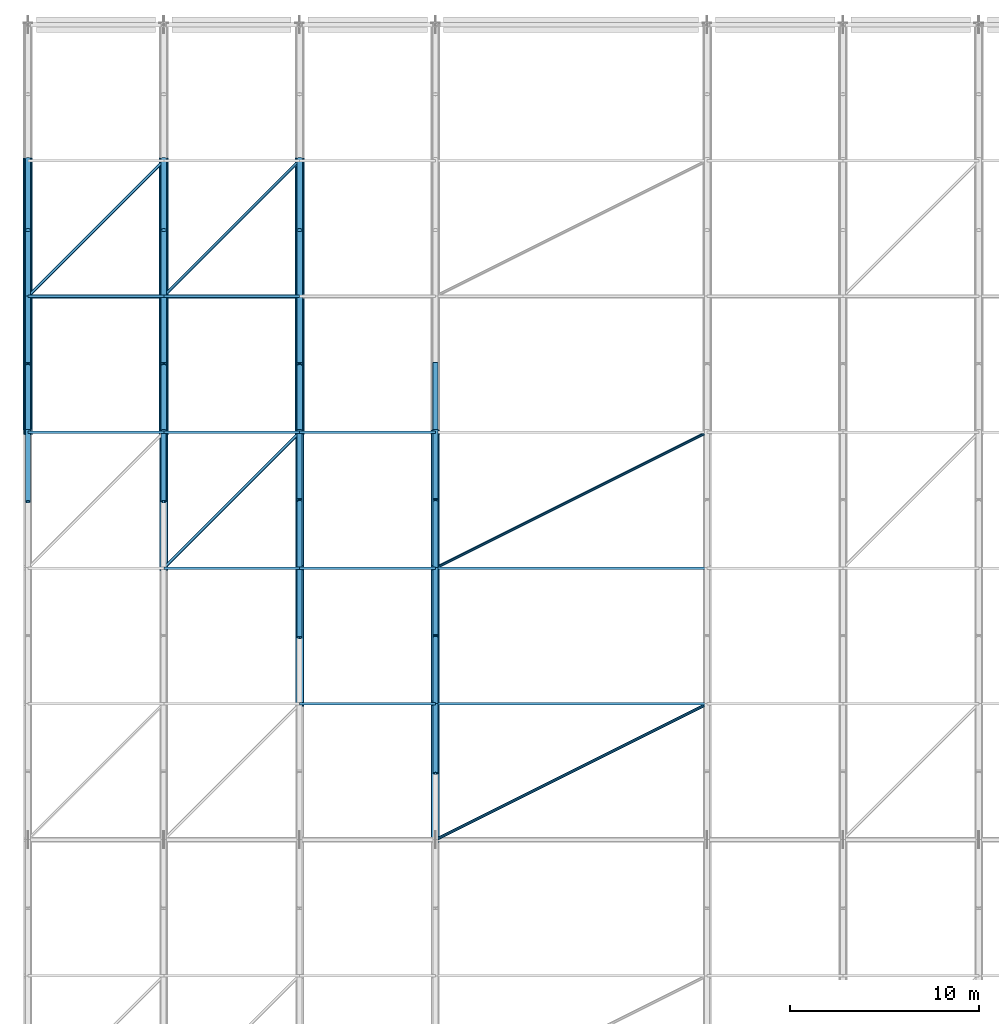
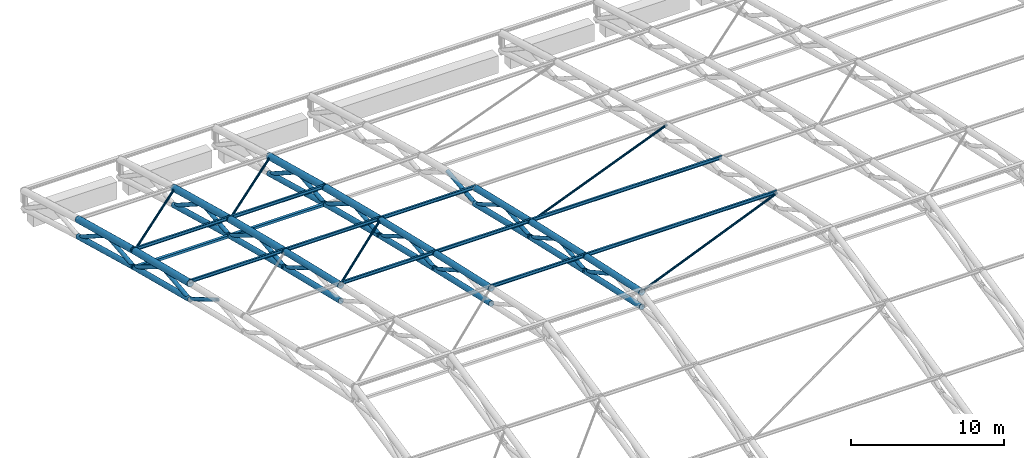
# One storey, part 43 of 193: 64 members.
"""IFC4 building model written with IfcOpenShell, lengths in metres."""

from ifc_helpers import new_model, si_unit, direction, frame, origin, origin_2d, place, context, subcontext, project, spatial, hollow_rectangle, hollow_circle, i_section, extrude, material, material_profile, profile_set, type_object, element, save


model = new_model("IFC4")

# Units and contexts
model_context = context("Model", 3, precision=1e-05, world=origin(), true_north=direction((0.0, 1.0)))
body_context = subcontext(model_context, "Body", "Model", "MODEL_VIEW")
ifc_project = project(units=[si_unit("LENGTHUNIT", "METRE"), si_unit("AREAUNIT", "SQUARE_METRE"), si_unit("VOLUMEUNIT", "CUBIC_METRE"), si_unit("PLANEANGLEUNIT", "RADIAN"), si_unit("MASSUNIT", "GRAM", prefix="KILO")], contexts=[model_context])

# Site, building, storey
site_placement = place(None, origin())
site = spatial("IfcSite", under=ifc_project, at=site_placement, CompositionType="ELEMENT")
building_placement = place(site_placement, origin())
building = spatial("IfcBuilding", under=site, at=building_placement, Name="Cendralis Lancet Convention Centre", CompositionType="ELEMENT")
storey_placement = place(building_placement, frame((0.0, 0.0, 10.199951171875)))
storey = spatial("IfcBuildingStorey", under=building, at=storey_placement, Name="L02", CompositionType="ELEMENT", Elevation=10.199951171875)

# Members
ifc_material = material(Name="Steel S355", Category="steel")
ifc_material_profile_1 = material_profile(ifc_material, hollow_circle(Radius=0.084228515625, WallThickness=0.008056640625, at=origin_2d()), Name="CHS 168.3x8.0")
ifc_profile_set_1 = profile_set([ifc_material_profile_1], Name="Steel S355")
member_type_1 = type_object("IfcMemberType", Name="STR-BR-RB01", PredefinedType="BRACE", material=ifc_profile_set_1)
member_1_placement = place(storey_placement, frame((0.0, 122.39990234375, 7.576416015625), z_axis=(0.694854047824, 0.694877609387, -0.185264568107), x_axis=(-0.7071187694, 0.70709479277, 0.0)))
element("IfcMember", 1, at=member_1_placement, inside=storey, type_object=member_type_1, Name="Roof Diaphragm Brace RB01 V1-00-10A", PredefinedType="BRACE", context=body_context, shape_type="SweptSolid", body=[
    extrude(hollow_circle(Radius=0.084228515625, WallThickness=0.008056640625, at=origin_2d()), origin(), (0.0, 0.0, 1.0), 10.36181640625),
])
member_2_placement = place(storey_placement, frame((7.199951171875, 108.0, 11.056884765625), z_axis=(0.697591582707, 0.697591582707, -0.163499135997), x_axis=(-0.707106781187, 0.707106781187, 0.0)))
element("IfcMember", 2, at=member_2_placement, inside=storey, type_object=member_type_1, Name="Roof Diaphragm Brace RB01 V1-01-08A", PredefinedType="BRACE", context=body_context, shape_type="SweptSolid", body=[
    extrude(hollow_circle(Radius=0.084228515625, WallThickness=0.008056640625, at=origin_2d()), origin(), (0.0, 0.0, 1.0), 10.321044921875),
])
member_3_placement = place(storey_placement, frame((7.199951171875, 122.39990234375, 7.576416015625), z_axis=(0.694854047824, 0.694877609387, -0.185264568107), x_axis=(-0.7071187694, 0.70709479277, 0.0)))
element("IfcMember", 3, at=member_3_placement, inside=storey, type_object=member_type_1, Name="Roof Diaphragm Brace RB01 V1-01-10A", PredefinedType="BRACE", context=body_context, shape_type="SweptSolid", body=[
    extrude(hollow_circle(Radius=0.084228515625, WallThickness=0.008056640625, at=origin_2d()), origin(), (0.0, 0.0, 1.0), 10.36181640625),
])
member_4_placement = place(storey_placement, frame((21.60009765625, 93.60009765625, 14.199951171875), z_axis=(0.890364211935, 0.445182105968, -0.095207471511), x_axis=(-0.4472135955, 0.894427191, 0.0)))
element("IfcMember", 4, at=member_4_placement, inside=storey, type_object=member_type_1, Name="Roof Diaphragm Brace RB01 V1-03-06A", PredefinedType="BRACE", context=body_context, shape_type="SweptSolid", body=[
    extrude(hollow_circle(Radius=0.084228515625, WallThickness=0.008056640625, at=origin_2d()), origin(), (0.0, 0.0, 1.0), 16.173095703125),
])
member_5_placement = place(storey_placement, frame((21.60009765625, 108.0, 11.056884765625), z_axis=(0.88955400684, 0.44477700342, -0.104245317135), x_axis=(-0.4472135955, 0.894427191, 0.0)))
element("IfcMember", 5, at=member_5_placement, inside=storey, type_object=member_type_1, Name="Roof Diaphragm Brace RB01 V1-03-08A", PredefinedType="BRACE", context=body_context, shape_type="SweptSolid", body=[
    extrude(hollow_circle(Radius=0.084228515625, WallThickness=0.008056640625, at=origin_2d()), origin(), (0.0, 0.0, 1.0), 16.187744140625),
])
ifc_material_profile_2 = material_profile(ifc_material, hollow_rectangle(XDim=0.199951171875, YDim=0.199951171875, WallThickness=0.010009765625, at=origin_2d()), Name="SHS 200x200x10.0")
ifc_profile_set_2 = profile_set([ifc_material_profile_2], Name="Steel S355")
member_type_2 = type_object("IfcMemberType", Name="STR-BR-ST01", PredefinedType="STRUT", material=ifc_profile_set_2)
for number, where, z_axis, x_axis, name in (
    (6, (0.0, 122.39990234375, 6.2509765625), (1.0, 0.0, 0.0), (0.0, 1.0, 0.0), "Arch Tie Strut ST01 V1-00-10"),
    (7, (7.199951171875, 122.39990234375, 6.2509765625), (1.0, 0.0, 0.0), (0.0, 1.0, 0.0), "Arch Tie Strut ST01 V1-01-10"),
):
    element("IfcMember", number, at=place(storey_placement, frame(where, z_axis=z_axis, x_axis=x_axis)), inside=storey, type_object=member_type_2, Name=name, PredefinedType="STRUT", context=body_context, shape_type="SweptSolid", body=[
        extrude(hollow_rectangle(XDim=0.199951171875, YDim=0.199951171875, WallThickness=0.010009765625, at=origin_2d()), origin(), (0.0, 0.0, 1.0), 7.199951171875),
    ])
ifc_material_profile_3 = material_profile(ifc_material, i_section(OverallWidth=0.135009765625, OverallDepth=0.27001953125, WebThickness=0.006591796875, FlangeThickness=0.01025390625, FilletRadius=0.014892578125, at=origin_2d()), Name="IPE 270")
ifc_profile_set_3 = profile_set([ifc_material_profile_3], Name="Steel S355")
member_type_3 = type_object("IfcMemberType", Name="STR-PR-PR01", PredefinedType="PURLIN", material=ifc_profile_set_3)
for number, where, z_axis, x_axis, name in (
    (8, (0.0, 115.199951171875, 9.484375), (1.0, 0.0, 0.0), (0.0, 1.0, 0.0), "Vault Roof Purlin PR01 V1-00-09"),
    (9, (0.0, 122.39990234375, 7.69140625), (1.0, 0.0, 0.0), (0.0, 1.0, 0.0), "Vault Roof Purlin PR01 V1-00-10"),
    (10, (7.199951171875, 108.0, 11.171875), (1.0, 0.0, 0.0), (0.0, 1.0, 0.0), "Vault Roof Purlin PR01 V1-01-08"),
    (11, (7.199951171875, 115.199951171875, 9.484375), (1.0, 0.0, 0.0), (0.0, 1.0, 0.0), "Vault Roof Purlin PR01 V1-01-09"),
    (12, (7.199951171875, 122.39990234375, 7.69140625), (1.0, 0.0, 0.0), (0.0, 1.0, 0.0), "Vault Roof Purlin PR01 V1-01-10"),
):
    element("IfcMember", number, at=place(storey_placement, frame(where, z_axis=z_axis, x_axis=x_axis)), inside=storey, type_object=member_type_3, Name=name, PredefinedType="PURLIN", context=body_context, shape_type="SweptSolid", body=[
        extrude(i_section(OverallWidth=0.135009765625, OverallDepth=0.27001953125, WebThickness=0.006591796875, FlangeThickness=0.01025390625, FilletRadius=0.014892578125, at=origin_2d()), origin(), (0.0, 0.0, 1.0), 7.199951171875),
    ])
for number, where, z_axis, x_axis, name in (
    (13, (14.39990234375, 100.800048828125, 12.775146484375), (1.0, 0.0, 0.0), (0.0, 1.0, 0.0), "Vault Roof Purlin PR01 V1-02-07"),
    (14, (14.39990234375, 108.0, 11.171875), (1.0, 0.0, 0.0), (0.0, 1.0, 0.0), "Vault Roof Purlin PR01 V1-02-08"),
    (15, (14.39990234375, 115.199951171875, 9.484375), (1.0, 0.0, 0.0), (0.0, 1.0, 0.0), "Vault Roof Purlin PR01 V1-02-09"),
):
    element("IfcMember", number, at=place(storey_placement, frame(where, z_axis=z_axis, x_axis=x_axis)), inside=storey, type_object=member_type_3, Name=name, PredefinedType="PURLIN", context=body_context, shape_type="SweptSolid", body=[
        extrude(i_section(OverallWidth=0.135009765625, OverallDepth=0.27001953125, WebThickness=0.006591796875, FlangeThickness=0.01025390625, FilletRadius=0.014892578125, at=origin_2d()), origin(), (0.0, 0.0, 1.0), 7.2001953125),
    ])
for number, where, z_axis, x_axis, name in (
    (16, (21.60009765625, 100.800048828125, 12.775146484375), (1.0, 0.0, 0.0), (0.0, 1.0, 0.0), "Vault Roof Purlin PR01 V1-03-07"),
    (17, (21.60009765625, 108.0, 11.171875), (1.0, 0.0, 0.0), (0.0, 1.0, 0.0), "Vault Roof Purlin PR01 V1-03-08"),
):
    element("IfcMember", number, at=place(storey_placement, frame(where, z_axis=z_axis, x_axis=x_axis)), inside=storey, type_object=member_type_3, Name=name, PredefinedType="PURLIN", context=body_context, shape_type="SweptSolid", body=[
        extrude(i_section(OverallWidth=0.135009765625, OverallDepth=0.27001953125, WebThickness=0.006591796875, FlangeThickness=0.01025390625, FilletRadius=0.014892578125, at=origin_2d()), origin(), (0.0, 0.0, 1.0), 14.39990234375),
    ])
ifc_material_profile_4 = material_profile(ifc_material, hollow_circle(Radius=0.203125, WallThickness=0.01611328125, at=origin_2d()), Name="CHS 406.4x16.0")
ifc_profile_set_4 = profile_set([ifc_material_profile_4], Name="Steel S355")
member_type_4 = type_object("IfcMemberType", Name="STR-TR-BC01", PredefinedType="CHORD", material=ifc_profile_set_4)
member_6_placement = place(storey_placement, frame((0.0, 115.083740234375, 8.111083984375), z_axis=(0.0, 0.969168531094, -0.246398779092), x_axis=(-1.0, 0.0, 0.0)))
element("IfcMember", 18, at=member_6_placement, inside=storey, type_object=member_type_4, Name="ROOF TRUSS AT-V1-01 Bottom Chord 09", PredefinedType="CHORD", context=body_context, shape_type="SweptSolid", body=[
    extrude(hollow_circle(Radius=0.203125, WallThickness=0.01611328125, at=origin_2d()), origin(), (0.0, 0.0, 1.0), 7.6689453125),
])
member_7_placement = place(storey_placement, frame((0.0, 122.2841796875, 6.282470703125), z_axis=(0.0, 0.964987331955, -0.262296490953), x_axis=(-1.0, 0.0, 0.0)))
element("IfcMember", 19, at=member_7_placement, inside=storey, type_object=member_type_4, Name="ROOF TRUSS AT-V1-01 Bottom Chord 10", PredefinedType="CHORD", context=body_context, shape_type="SweptSolid", body=[
    extrude(hollow_circle(Radius=0.203125, WallThickness=0.01611328125, at=origin_2d()), origin(), (0.0, 0.0, 1.0), 7.701171875),
])
ifc_material_profile_5 = material_profile(ifc_material, hollow_circle(Radius=0.203125, WallThickness=0.01611328125, at=origin_2d()), Name="CHS 406.4x16.0")
ifc_profile_set_5 = profile_set([ifc_material_profile_5], Name="Steel S355")
member_type_5 = type_object("IfcMemberType", Name="STR-TR-BC01-INT", PredefinedType="CHORD", material=ifc_profile_set_5)
member_8_placement = place(storey_placement, frame((7.199951171875, 107.88330078125, 9.834228515625), z_axis=(0.0, 0.97248347478, -0.232971868002), x_axis=(-1.0, 0.0, 0.0)))
element("IfcMember", 20, at=member_8_placement, inside=storey, type_object=member_type_5, Name="ROOF TRUSS AT-V1-02 Bottom Chord 08", PredefinedType="CHORD", context=body_context, shape_type="SweptSolid", body=[
    extrude(hollow_circle(Radius=0.203125, WallThickness=0.01611328125, at=origin_2d()), origin(), (0.0, 0.0, 1.0), 7.643798828125),
])
member_9_placement = place(storey_placement, frame((7.199951171875, 115.083740234375, 8.111083984375), z_axis=(0.0, 0.969168531094, -0.246398779092), x_axis=(-1.0, 0.0, 0.0)))
element("IfcMember", 21, at=member_9_placement, inside=storey, type_object=member_type_5, Name="ROOF TRUSS AT-V1-02 Bottom Chord 09", PredefinedType="CHORD", context=body_context, shape_type="SweptSolid", body=[
    extrude(hollow_circle(Radius=0.203125, WallThickness=0.01611328125, at=origin_2d()), origin(), (0.0, 0.0, 1.0), 7.6689453125),
])
member_10_placement = place(storey_placement, frame((7.199951171875, 122.2841796875, 6.282470703125), z_axis=(0.0, 0.964987331955, -0.262296490953), x_axis=(-1.0, 0.0, 0.0)))
element("IfcMember", 22, at=member_10_placement, inside=storey, type_object=member_type_5, Name="ROOF TRUSS AT-V1-02 Bottom Chord 10", PredefinedType="CHORD", context=body_context, shape_type="SweptSolid", body=[
    extrude(hollow_circle(Radius=0.203125, WallThickness=0.01611328125, at=origin_2d()), origin(), (0.0, 0.0, 1.0), 7.701171875),
])
member_11_placement = place(storey_placement, frame((14.39990234375, 100.68310546875, 11.4736328125), z_axis=(0.0, 0.975002780506, -0.222192659658), x_axis=(-1.0, 0.0, 0.0)))
element("IfcMember", 23, at=member_11_placement, inside=storey, type_object=member_type_5, Name="ROOF TRUSS AT-V1-03 Bottom Chord 07", PredefinedType="CHORD", context=body_context, shape_type="SweptSolid", body=[
    extrude(hollow_circle(Radius=0.203125, WallThickness=0.01611328125, at=origin_2d()), origin(), (0.0, 0.0, 1.0), 7.62451171875),
])
member_12_placement = place(storey_placement, frame((14.39990234375, 107.88330078125, 9.834228515625), z_axis=(0.0, 0.97248347478, -0.232971868002), x_axis=(-1.0, 0.0, 0.0)))
element("IfcMember", 24, at=member_12_placement, inside=storey, type_object=member_type_5, Name="ROOF TRUSS AT-V1-03 Bottom Chord 08", PredefinedType="CHORD", context=body_context, shape_type="SweptSolid", body=[
    extrude(hollow_circle(Radius=0.203125, WallThickness=0.01611328125, at=origin_2d()), origin(), (0.0, 0.0, 1.0), 7.643798828125),
])
member_13_placement = place(storey_placement, frame((14.39990234375, 115.083740234375, 8.111083984375), z_axis=(0.0, 0.969168531094, -0.246398779092), x_axis=(-1.0, 0.0, 0.0)))
element("IfcMember", 25, at=member_13_placement, inside=storey, type_object=member_type_5, Name="ROOF TRUSS AT-V1-03 Bottom Chord 09", PredefinedType="CHORD", context=body_context, shape_type="SweptSolid", body=[
    extrude(hollow_circle(Radius=0.203125, WallThickness=0.01611328125, at=origin_2d()), origin(), (0.0, 0.0, 1.0), 7.6689453125),
])
member_14_placement = place(storey_placement, frame((14.39990234375, 122.2841796875, 6.282470703125), z_axis=(0.0, 0.964987331955, -0.262296490953), x_axis=(-1.0, 0.0, 0.0)))
element("IfcMember", 26, at=member_14_placement, inside=storey, type_object=member_type_5, Name="ROOF TRUSS AT-V1-03 Bottom Chord 10", PredefinedType="CHORD", context=body_context, shape_type="SweptSolid", body=[
    extrude(hollow_circle(Radius=0.203125, WallThickness=0.01611328125, at=origin_2d()), origin(), (0.0, 0.0, 1.0), 7.701171875),
])
member_15_placement = place(storey_placement, frame((21.60009765625, 93.48291015625, 13.0498046875), z_axis=(0.0, 0.97683404926, -0.213998224775), x_axis=(-1.0, 0.0, 0.0)))
element("IfcMember", 27, at=member_15_placement, inside=storey, type_object=member_type_5, Name="ROOF TRUSS AT-V1-04 Bottom Chord 06", PredefinedType="CHORD", context=body_context, shape_type="SweptSolid", body=[
    extrude(hollow_circle(Radius=0.203125, WallThickness=0.01611328125, at=origin_2d()), origin(), (0.0, 0.0, 1.0), 7.610595703125),
])
member_16_placement = place(storey_placement, frame((21.60009765625, 100.68310546875, 11.4736328125), z_axis=(0.0, 0.975002780506, -0.222192659658), x_axis=(-1.0, 0.0, 0.0)))
element("IfcMember", 28, at=member_16_placement, inside=storey, type_object=member_type_5, Name="ROOF TRUSS AT-V1-04 Bottom Chord 07", PredefinedType="CHORD", context=body_context, shape_type="SweptSolid", body=[
    extrude(hollow_circle(Radius=0.203125, WallThickness=0.01611328125, at=origin_2d()), origin(), (0.0, 0.0, 1.0), 7.62451171875),
])
member_17_placement = place(storey_placement, frame((21.60009765625, 107.88330078125, 9.834228515625), z_axis=(0.0, 0.97248347478, -0.232971868002), x_axis=(-1.0, 0.0, 0.0)))
element("IfcMember", 29, at=member_17_placement, inside=storey, type_object=member_type_5, Name="ROOF TRUSS AT-V1-04 Bottom Chord 08", PredefinedType="CHORD", context=body_context, shape_type="SweptSolid", body=[
    extrude(hollow_circle(Radius=0.203125, WallThickness=0.01611328125, at=origin_2d()), origin(), (0.0, 0.0, 1.0), 7.643798828125),
])
ifc_material_profile_6 = material_profile(ifc_material, hollow_circle(Radius=0.25390625, WallThickness=0.02001953125, at=origin_2d()), Name="CHS 508.0x20.0")
ifc_profile_set_6 = profile_set([ifc_material_profile_6], Name="Steel S355")
member_type_6 = type_object("IfcMemberType", Name="STR-TR-TC01", PredefinedType="CHORD", material=ifc_profile_set_6)
member_18_placement = place(storey_placement, frame((0.0, 115.08349609375, 9.3984375), z_axis=(0.0, 0.97036146187, -0.241658091769), x_axis=(-1.0, 0.0, 0.0)))
element("IfcMember", 30, at=member_18_placement, inside=storey, type_object=member_type_6, Name="ROOF TRUSS AT-V1-01 Top Chord 09", PredefinedType="CHORD", context=body_context, shape_type="SweptSolid", body=[
    extrude(hollow_circle(Radius=0.25390625, WallThickness=0.02001953125, at=origin_2d()), origin(), (0.0, 0.0, 1.0), 7.659912109375),
])
member_19_placement = place(storey_placement, frame((0.0, 122.2841796875, 7.607177734375), z_axis=(0.0, 0.966245475764, -0.257623136705), x_axis=(-1.0, 0.0, 0.0)))
element("IfcMember", 31, at=member_19_placement, inside=storey, type_object=member_type_6, Name="ROOF TRUSS AT-V1-01 Top Chord 10", PredefinedType="CHORD", context=body_context, shape_type="SweptSolid", body=[
    extrude(hollow_circle(Radius=0.25390625, WallThickness=0.02001953125, at=origin_2d()), origin(), (0.0, 0.0, 1.0), 7.691162109375),
])
ifc_material_profile_7 = material_profile(ifc_material, hollow_circle(Radius=0.25390625, WallThickness=0.02001953125, at=origin_2d()), Name="CHS 508.0x20.0")
ifc_profile_set_7 = profile_set([ifc_material_profile_7], Name="Steel S355")
member_type_7 = type_object("IfcMemberType", Name="STR-TR-TC01-INT", PredefinedType="CHORD", material=ifc_profile_set_7)
member_20_placement = place(storey_placement, frame((7.199951171875, 115.08349609375, 9.3984375), z_axis=(0.0, 0.97036146187, -0.241658091769), x_axis=(-1.0, 0.0, 0.0)))
element("IfcMember", 32, at=member_20_placement, inside=storey, type_object=member_type_7, Name="ROOF TRUSS AT-V1-02 Top Chord 09", PredefinedType="CHORD", context=body_context, shape_type="SweptSolid", body=[
    extrude(hollow_circle(Radius=0.25390625, WallThickness=0.02001953125, at=origin_2d()), origin(), (0.0, 0.0, 1.0), 7.659912109375),
])
member_21_placement = place(storey_placement, frame((7.199951171875, 122.2841796875, 7.607177734375), z_axis=(0.0, 0.966245475764, -0.257623136705), x_axis=(-1.0, 0.0, 0.0)))
element("IfcMember", 33, at=member_21_placement, inside=storey, type_object=member_type_7, Name="ROOF TRUSS AT-V1-02 Top Chord 10", PredefinedType="CHORD", context=body_context, shape_type="SweptSolid", body=[
    extrude(hollow_circle(Radius=0.25390625, WallThickness=0.02001953125, at=origin_2d()), origin(), (0.0, 0.0, 1.0), 7.691162109375),
])
member_22_placement = place(storey_placement, frame((14.39990234375, 115.08349609375, 9.3984375), z_axis=(0.0, 0.97036146187, -0.241658091769), x_axis=(-1.0, 0.0, 0.0)))
element("IfcMember", 34, at=member_22_placement, inside=storey, type_object=member_type_7, Name="ROOF TRUSS AT-V1-03 Top Chord 09", PredefinedType="CHORD", context=body_context, shape_type="SweptSolid", body=[
    extrude(hollow_circle(Radius=0.25390625, WallThickness=0.02001953125, at=origin_2d()), origin(), (0.0, 0.0, 1.0), 7.659912109375),
])
member_23_placement = place(storey_placement, frame((14.39990234375, 122.2841796875, 7.607177734375), z_axis=(0.0, 0.966245475764, -0.257623136705), x_axis=(-1.0, 0.0, 0.0)))
element("IfcMember", 35, at=member_23_placement, inside=storey, type_object=member_type_7, Name="ROOF TRUSS AT-V1-03 Top Chord 10", PredefinedType="CHORD", context=body_context, shape_type="SweptSolid", body=[
    extrude(hollow_circle(Radius=0.25390625, WallThickness=0.02001953125, at=origin_2d()), origin(), (0.0, 0.0, 1.0), 7.691162109375),
])
ifc_material_profile_8 = material_profile(ifc_material, hollow_circle(Radius=0.228515625, WallThickness=0.02001953125, at=origin_2d()), Name="CHS 457.0x20.0")
ifc_profile_set_8 = profile_set([ifc_material_profile_8], Name="Steel S355")
member_type_8 = type_object("IfcMemberType", Name="STR-TR-TC01B-INT", PredefinedType="CHORD", material=ifc_profile_set_8)
member_24_placement = place(storey_placement, frame((7.199951171875, 107.88330078125, 11.084228515625), z_axis=(0.0, 0.973618086595, -0.22818374494), x_axis=(-1.0, 0.0, 0.0)))
element("IfcMember", 36, at=member_24_placement, inside=storey, type_object=member_type_8, Name="ROOF TRUSS AT-V1-02 Top Chord 08", PredefinedType="CHORD", context=body_context, shape_type="SweptSolid", body=[
    extrude(hollow_circle(Radius=0.228515625, WallThickness=0.02001953125, at=origin_2d()), origin(), (0.0, 0.0, 1.0), 7.635009765625),
])
member_25_placement = place(storey_placement, frame((14.39990234375, 100.682861328125, 12.686279296875), z_axis=(0.0, 0.976091178672, -0.217361475241), x_axis=(-1.0, 0.0, 0.0)))
element("IfcMember", 37, at=member_25_placement, inside=storey, type_object=member_type_8, Name="ROOF TRUSS AT-V1-03 Top Chord 07", PredefinedType="CHORD", context=body_context, shape_type="SweptSolid", body=[
    extrude(hollow_circle(Radius=0.228515625, WallThickness=0.02001953125, at=origin_2d()), origin(), (0.0, 0.0, 1.0), 7.616455078125),
])
member_26_placement = place(storey_placement, frame((14.39990234375, 107.88330078125, 11.084228515625), z_axis=(0.0, 0.973618086595, -0.22818374494), x_axis=(-1.0, 0.0, 0.0)))
element("IfcMember", 38, at=member_26_placement, inside=storey, type_object=member_type_8, Name="ROOF TRUSS AT-V1-03 Top Chord 08", PredefinedType="CHORD", context=body_context, shape_type="SweptSolid", body=[
    extrude(hollow_circle(Radius=0.228515625, WallThickness=0.02001953125, at=origin_2d()), origin(), (0.0, 0.0, 1.0), 7.635009765625),
])
member_27_placement = place(storey_placement, frame((21.60009765625, 93.482666015625, 14.22509765625), z_axis=(0.0, 0.97788410853, -0.209147484528), x_axis=(-1.0, 0.0, 0.0)))
element("IfcMember", 39, at=member_27_placement, inside=storey, type_object=member_type_8, Name="ROOF TRUSS AT-V1-04 Top Chord 06", PredefinedType="CHORD", context=body_context, shape_type="SweptSolid", body=[
    extrude(hollow_circle(Radius=0.228515625, WallThickness=0.02001953125, at=origin_2d()), origin(), (0.0, 0.0, 1.0), 7.602783203125),
])
member_28_placement = place(storey_placement, frame((21.60009765625, 100.682861328125, 12.686279296875), z_axis=(0.0, 0.976091178672, -0.217361475241), x_axis=(-1.0, 0.0, 0.0)))
element("IfcMember", 40, at=member_28_placement, inside=storey, type_object=member_type_8, Name="ROOF TRUSS AT-V1-04 Top Chord 07", PredefinedType="CHORD", context=body_context, shape_type="SweptSolid", body=[
    extrude(hollow_circle(Radius=0.228515625, WallThickness=0.02001953125, at=origin_2d()), origin(), (0.0, 0.0, 1.0), 7.616455078125),
])
member_29_placement = place(storey_placement, frame((21.60009765625, 107.88330078125, 11.084228515625), z_axis=(0.0, 0.973618086595, -0.22818374494), x_axis=(-1.0, 0.0, 0.0)))
element("IfcMember", 41, at=member_29_placement, inside=storey, type_object=member_type_8, Name="ROOF TRUSS AT-V1-04 Top Chord 08", PredefinedType="CHORD", context=body_context, shape_type="SweptSolid", body=[
    extrude(hollow_circle(Radius=0.228515625, WallThickness=0.02001953125, at=origin_2d()), origin(), (0.0, 0.0, 1.0), 7.635009765625),
])
ifc_material_profile_9 = material_profile(ifc_material, hollow_circle(Radius=0.149169921875, WallThickness=0.012451171875, at=origin_2d()), Name="CHS 298.5x12.5")
ifc_profile_set_9 = profile_set([ifc_material_profile_9], Name="Steel S355")
member_type_9 = type_object("IfcMemberType", Name="STR-TR-WD01", PredefinedType="BRACE", material=ifc_profile_set_9)
member_30_placement = place(storey_placement, frame((0.0, 115.1005859375, 8.070556640625), z_axis=(0.0, 0.994139687453, 0.108103107402), x_axis=(-1.0, 0.0, 0.0)))
element("IfcMember", 42, at=member_30_placement, inside=storey, type_object=member_type_9, Name="ROOF TRUSS AT-V1-01 Warren Web 09-0", PredefinedType="BRACE", context=body_context, shape_type="SweptSolid", body=[
    extrude(hollow_circle(Radius=0.149169921875, WallThickness=0.012451171875, at=origin_2d()), origin(), (0.0, 0.0, 1.0), 3.8212890625),
])
member_31_placement = place(storey_placement, frame((0.0, 118.71484375, 8.525390625), z_axis=(0.0, 0.850978373815, -0.525200730482), x_axis=(-1.0, 0.0, 0.0)))
element("IfcMember", 43, at=member_31_placement, inside=storey, type_object=member_type_9, Name="ROOF TRUSS AT-V1-01 Warren Web 09-1", PredefinedType="BRACE", context=body_context, shape_type="SweptSolid", body=[
    extrude(hollow_circle(Radius=0.149169921875, WallThickness=0.012451171875, at=origin_2d()), origin(), (0.0, 0.0, 1.0), 4.430419921875),
])
member_32_placement = place(storey_placement, frame((0.0, 122.300537109375, 6.240966796875), z_axis=(0.0, 0.994884749511, 0.101016509493), x_axis=(-1.0, 0.0, 0.0)))
element("IfcMember", 44, at=member_32_placement, inside=storey, type_object=member_type_9, Name="ROOF TRUSS AT-V1-01 Warren Web 10-0", PredefinedType="BRACE", context=body_context, shape_type="SweptSolid", body=[
    extrude(hollow_circle(Radius=0.149169921875, WallThickness=0.012451171875, at=origin_2d()), origin(), (0.0, 0.0, 1.0), 3.818603515625),
])
member_33_placement = place(storey_placement, frame((0.0, 125.916015625, 6.670654296875), z_axis=(0.0, 0.840307049061, -0.542110748186), x_axis=(-1.0, 0.0, 0.0)))
element("IfcMember", 45, at=member_33_placement, inside=storey, type_object=member_type_9, Name="ROOF TRUSS AT-V1-01 Warren Web 10-1", PredefinedType="BRACE", context=body_context, shape_type="SweptSolid", body=[
    extrude(hollow_circle(Radius=0.149169921875, WallThickness=0.012451171875, at=origin_2d()), origin(), (0.0, 0.0, 1.0), 4.484130859375),
])
ifc_material_profile_10 = material_profile(ifc_material, hollow_circle(Radius=0.149169921875, WallThickness=0.012451171875, at=origin_2d()), Name="CHS 298.5x12.5")
ifc_profile_set_10 = profile_set([ifc_material_profile_10], Name="Steel S355")
member_type_10 = type_object("IfcMemberType", Name="STR-TR-WD01-INT", PredefinedType="BRACE", material=ifc_profile_set_10)
member_34_placement = place(storey_placement, frame((7.199951171875, 115.1005859375, 8.070556640625), z_axis=(0.0, 0.994139687453, 0.108103107402), x_axis=(-1.0, 0.0, 0.0)))
element("IfcMember", 46, at=member_34_placement, inside=storey, type_object=member_type_10, Name="ROOF TRUSS AT-V1-02 Warren Web 09-0", PredefinedType="BRACE", context=body_context, shape_type="SweptSolid", body=[
    extrude(hollow_circle(Radius=0.149169921875, WallThickness=0.012451171875, at=origin_2d()), origin(), (0.0, 0.0, 1.0), 3.8212890625),
])
member_35_placement = place(storey_placement, frame((7.199951171875, 118.71484375, 8.525390625), z_axis=(0.0, 0.850978373815, -0.525200730482), x_axis=(-1.0, 0.0, 0.0)))
element("IfcMember", 47, at=member_35_placement, inside=storey, type_object=member_type_10, Name="ROOF TRUSS AT-V1-02 Warren Web 09-1", PredefinedType="BRACE", context=body_context, shape_type="SweptSolid", body=[
    extrude(hollow_circle(Radius=0.149169921875, WallThickness=0.012451171875, at=origin_2d()), origin(), (0.0, 0.0, 1.0), 4.430419921875),
])
member_36_placement = place(storey_placement, frame((7.199951171875, 122.300537109375, 6.240966796875), z_axis=(0.0, 0.994884749511, 0.101016509493), x_axis=(-1.0, 0.0, 0.0)))
element("IfcMember", 48, at=member_36_placement, inside=storey, type_object=member_type_10, Name="ROOF TRUSS AT-V1-02 Warren Web 10-0", PredefinedType="BRACE", context=body_context, shape_type="SweptSolid", body=[
    extrude(hollow_circle(Radius=0.149169921875, WallThickness=0.012451171875, at=origin_2d()), origin(), (0.0, 0.0, 1.0), 3.818603515625),
])
member_37_placement = place(storey_placement, frame((7.199951171875, 125.916015625, 6.670654296875), z_axis=(0.0, 0.840307049061, -0.542110748186), x_axis=(-1.0, 0.0, 0.0)))
element("IfcMember", 49, at=member_37_placement, inside=storey, type_object=member_type_10, Name="ROOF TRUSS AT-V1-02 Warren Web 10-1", PredefinedType="BRACE", context=body_context, shape_type="SweptSolid", body=[
    extrude(hollow_circle(Radius=0.149169921875, WallThickness=0.012451171875, at=origin_2d()), origin(), (0.0, 0.0, 1.0), 4.484130859375),
])
member_38_placement = place(storey_placement, frame((14.39990234375, 115.1005859375, 8.070556640625), z_axis=(0.0, 0.994139687453, 0.108103107402), x_axis=(-1.0, 0.0, 0.0)))
element("IfcMember", 50, at=member_38_placement, inside=storey, type_object=member_type_10, Name="ROOF TRUSS AT-V1-03 Warren Web 09-0", PredefinedType="BRACE", context=body_context, shape_type="SweptSolid", body=[
    extrude(hollow_circle(Radius=0.149169921875, WallThickness=0.012451171875, at=origin_2d()), origin(), (0.0, 0.0, 1.0), 3.8212890625),
])
member_39_placement = place(storey_placement, frame((14.39990234375, 118.71484375, 8.525390625), z_axis=(0.0, 0.850978373815, -0.525200730482), x_axis=(-1.0, 0.0, 0.0)))
element("IfcMember", 51, at=member_39_placement, inside=storey, type_object=member_type_10, Name="ROOF TRUSS AT-V1-03 Warren Web 09-1", PredefinedType="BRACE", context=body_context, shape_type="SweptSolid", body=[
    extrude(hollow_circle(Radius=0.149169921875, WallThickness=0.012451171875, at=origin_2d()), origin(), (0.0, 0.0, 1.0), 4.430419921875),
])
member_40_placement = place(storey_placement, frame((14.39990234375, 122.300537109375, 6.240966796875), z_axis=(0.0, 0.994884749511, 0.101016509493), x_axis=(-1.0, 0.0, 0.0)))
element("IfcMember", 52, at=member_40_placement, inside=storey, type_object=member_type_10, Name="ROOF TRUSS AT-V1-03 Warren Web 10-0", PredefinedType="BRACE", context=body_context, shape_type="SweptSolid", body=[
    extrude(hollow_circle(Radius=0.149169921875, WallThickness=0.012451171875, at=origin_2d()), origin(), (0.0, 0.0, 1.0), 3.818603515625),
])
member_41_placement = place(storey_placement, frame((14.39990234375, 125.916015625, 6.670654296875), z_axis=(0.0, 0.840307049061, -0.542110748186), x_axis=(-1.0, 0.0, 0.0)))
element("IfcMember", 53, at=member_41_placement, inside=storey, type_object=member_type_10, Name="ROOF TRUSS AT-V1-03 Warren Web 10-1", PredefinedType="BRACE", context=body_context, shape_type="SweptSolid", body=[
    extrude(hollow_circle(Radius=0.149169921875, WallThickness=0.012451171875, at=origin_2d()), origin(), (0.0, 0.0, 1.0), 4.484130859375),
])
member_42_placement = place(storey_placement, frame((21.60009765625, 115.1005859375, 8.070556640625), z_axis=(0.0, 0.994139687453, 0.108103107402), x_axis=(-1.0, 0.0, 0.0)))
element("IfcMember", 54, at=member_42_placement, inside=storey, type_object=member_type_10, Name="ROOF TRUSS AT-V1-04 Warren Web 09-0", PredefinedType="BRACE", context=body_context, shape_type="SweptSolid", body=[
    extrude(hollow_circle(Radius=0.149169921875, WallThickness=0.012451171875, at=origin_2d()), origin(), (0.0, 0.0, 1.0), 3.8212890625),
])
ifc_material_profile_11 = material_profile(ifc_material, hollow_circle(Radius=0.136474609375, WallThickness=0.012451171875, at=origin_2d()), Name="CHS 273.0x12.5")
ifc_profile_set_11 = profile_set([ifc_material_profile_11], Name="Steel S355")
member_type_11 = type_object("IfcMemberType", Name="STR-TR-WD01B", PredefinedType="BRACE", material=ifc_profile_set_11)
member_43_placement = place(storey_placement, frame((0.0, 111.513916015625, 10.26416015625), z_axis=(0.0, 0.860451614668, -0.509532156802), x_axis=(-1.0, 0.0, 0.0)))
element("IfcMember", 55, at=member_43_placement, inside=storey, type_object=member_type_11, Name="ROOF TRUSS AT-V1-01 Warren Web 08-1", PredefinedType="BRACE", context=body_context, shape_type="SweptSolid", body=[
    extrude(hollow_circle(Radius=0.136474609375, WallThickness=0.012451171875, at=origin_2d()), origin(), (0.0, 0.0, 1.0), 4.3837890625),
])
ifc_material_profile_12 = material_profile(ifc_material, hollow_circle(Radius=0.136474609375, WallThickness=0.012451171875, at=origin_2d()), Name="CHS 273.0x12.5")
ifc_profile_set_12 = profile_set([ifc_material_profile_12], Name="Steel S355")
member_type_12 = type_object("IfcMemberType", Name="STR-TR-WD01B-INT", PredefinedType="BRACE", material=ifc_profile_set_12)
member_44_placement = place(storey_placement, frame((7.199951171875, 111.513916015625, 10.26416015625), z_axis=(0.0, 0.860451614668, -0.509532156802), x_axis=(-1.0, 0.0, 0.0)))
element("IfcMember", 56, at=member_44_placement, inside=storey, type_object=member_type_12, Name="ROOF TRUSS AT-V1-02 Warren Web 08-1", PredefinedType="BRACE", context=body_context, shape_type="SweptSolid", body=[
    extrude(hollow_circle(Radius=0.136474609375, WallThickness=0.012451171875, at=origin_2d()), origin(), (0.0, 0.0, 1.0), 4.3837890625),
])
member_45_placement = place(storey_placement, frame((14.39990234375, 104.31298828125, 11.907958984375), z_axis=(0.0, 0.86877872096, -0.495200498795), x_axis=(-1.0, 0.0, 0.0)))
element("IfcMember", 57, at=member_45_placement, inside=storey, type_object=member_type_12, Name="ROOF TRUSS AT-V1-03 Warren Web 07-1", PredefinedType="BRACE", context=body_context, shape_type="SweptSolid", body=[
    extrude(hollow_circle(Radius=0.136474609375, WallThickness=0.012451171875, at=origin_2d()), origin(), (0.0, 0.0, 1.0), 4.343994140625),
])
member_46_placement = place(storey_placement, frame((14.39990234375, 107.900634765625, 9.795166015625), z_axis=(0.0, 0.993677994269, 0.112267732257), x_axis=(-1.0, 0.0, 0.0)))
element("IfcMember", 58, at=member_46_placement, inside=storey, type_object=member_type_12, Name="ROOF TRUSS AT-V1-03 Warren Web 08-0", PredefinedType="BRACE", context=body_context, shape_type="SweptSolid", body=[
    extrude(hollow_circle(Radius=0.136474609375, WallThickness=0.012451171875, at=origin_2d()), origin(), (0.0, 0.0, 1.0), 3.822998046875),
])
member_47_placement = place(storey_placement, frame((14.39990234375, 111.513916015625, 10.26416015625), z_axis=(0.0, 0.860451614668, -0.509532156802), x_axis=(-1.0, 0.0, 0.0)))
element("IfcMember", 59, at=member_47_placement, inside=storey, type_object=member_type_12, Name="ROOF TRUSS AT-V1-03 Warren Web 08-1", PredefinedType="BRACE", context=body_context, shape_type="SweptSolid", body=[
    extrude(hollow_circle(Radius=0.136474609375, WallThickness=0.012451171875, at=origin_2d()), origin(), (0.0, 0.0, 1.0), 4.3837890625),
])
member_48_placement = place(storey_placement, frame((21.60009765625, 97.1123046875, 13.478271484375), z_axis=(0.0, 0.875885645672, -0.482518741301), x_axis=(-1.0, 0.0, 0.0)))
element("IfcMember", 60, at=member_48_placement, inside=storey, type_object=member_type_12, Name="ROOF TRUSS AT-V1-04 Warren Web 06-1", PredefinedType="BRACE", context=body_context, shape_type="SweptSolid", body=[
    extrude(hollow_circle(Radius=0.136474609375, WallThickness=0.012451171875, at=origin_2d()), origin(), (0.0, 0.0, 1.0), 4.310302734375),
])
member_49_placement = place(storey_placement, frame((21.60009765625, 100.70068359375, 11.435546875), z_axis=(0.0, 0.993527526481, 0.113591611157), x_axis=(-1.0, 0.0, 0.0)))
element("IfcMember", 61, at=member_49_placement, inside=storey, type_object=member_type_12, Name="ROOF TRUSS AT-V1-04 Warren Web 07-0", PredefinedType="BRACE", context=body_context, shape_type="SweptSolid", body=[
    extrude(hollow_circle(Radius=0.136474609375, WallThickness=0.012451171875, at=origin_2d()), origin(), (0.0, 0.0, 1.0), 3.823486328125),
])
member_50_placement = place(storey_placement, frame((21.60009765625, 104.31298828125, 11.907958984375), z_axis=(0.0, 0.86877872096, -0.495200498795), x_axis=(-1.0, 0.0, 0.0)))
element("IfcMember", 62, at=member_50_placement, inside=storey, type_object=member_type_12, Name="ROOF TRUSS AT-V1-04 Warren Web 07-1", PredefinedType="BRACE", context=body_context, shape_type="SweptSolid", body=[
    extrude(hollow_circle(Radius=0.136474609375, WallThickness=0.012451171875, at=origin_2d()), origin(), (0.0, 0.0, 1.0), 4.343994140625),
])
member_51_placement = place(storey_placement, frame((21.60009765625, 107.900634765625, 9.795166015625), z_axis=(0.0, 0.993677994269, 0.112267732257), x_axis=(-1.0, 0.0, 0.0)))
element("IfcMember", 63, at=member_51_placement, inside=storey, type_object=member_type_12, Name="ROOF TRUSS AT-V1-04 Warren Web 08-0", PredefinedType="BRACE", context=body_context, shape_type="SweptSolid", body=[
    extrude(hollow_circle(Radius=0.136474609375, WallThickness=0.012451171875, at=origin_2d()), origin(), (0.0, 0.0, 1.0), 3.822998046875),
])
member_52_placement = place(storey_placement, frame((21.60009765625, 111.513916015625, 10.26416015625), z_axis=(0.0, 0.860451614668, -0.509532156802), x_axis=(-1.0, 0.0, 0.0)))
element("IfcMember", 64, at=member_52_placement, inside=storey, type_object=member_type_12, Name="ROOF TRUSS AT-V1-04 Warren Web 08-1", PredefinedType="BRACE", context=body_context, shape_type="SweptSolid", body=[
    extrude(hollow_circle(Radius=0.136474609375, WallThickness=0.012451171875, at=origin_2d()), origin(), (0.0, 0.0, 1.0), 4.3837890625),
])

save(model, "model.ifc")
